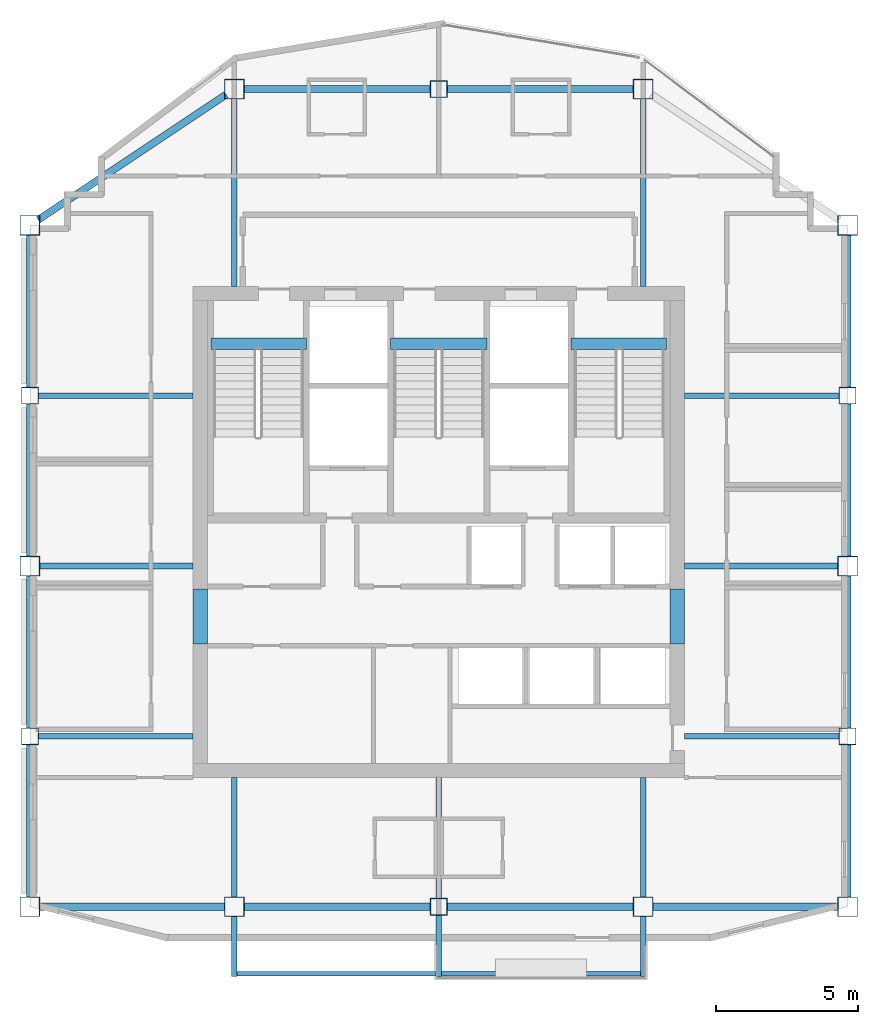
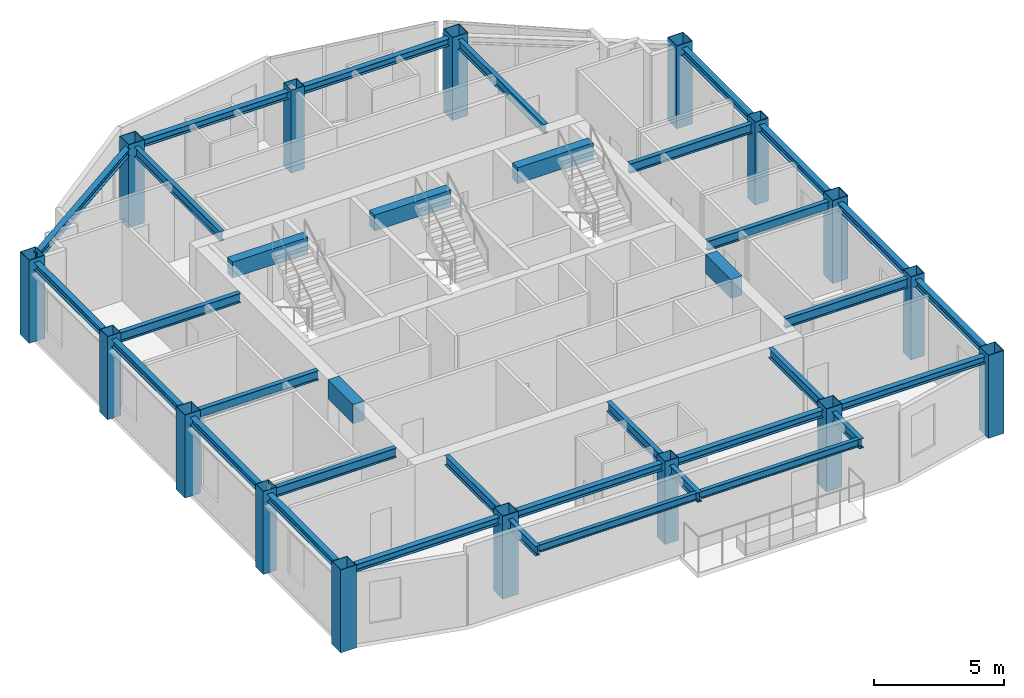
# One storey, part 1 of 8: 36 beams, 16 columns.
"""IFC4 building model written with IfcOpenShell, lengths in metres."""

from ifc_helpers import new_model, si_unit, direction, frame, origin, origin_2d, place, context, subcontext, project, spatial, rectangle, hollow_rectangle, i_section, extrude, material, material_profile, profile_set, type_object, element, save


model = new_model("IFC4")

# Units and contexts
model_context = context("Model", 3, precision=1e-05, world=origin(), true_north=direction((0.0, 1.0)))
body_context = subcontext(model_context, "Body", "Model", "MODEL_VIEW")
ifc_project = project(units=[si_unit("LENGTHUNIT", "METRE"), si_unit("AREAUNIT", "SQUARE_METRE"), si_unit("VOLUMEUNIT", "CUBIC_METRE"), si_unit("PLANEANGLEUNIT", "RADIAN"), si_unit("MASSUNIT", "GRAM", prefix="KILO")], contexts=[model_context])

# Site, building, storey
site_placement = place(None, origin())
site = spatial("IfcSite", under=ifc_project, at=site_placement, CompositionType="ELEMENT")
building_placement = place(site_placement, origin())
building = spatial("IfcBuilding", under=site, at=building_placement, Name="Haolan Belvedere Tower", CompositionType="ELEMENT")
storey_placement = place(building_placement, frame((0.0, 0.0, 293.89990234375)))
storey = spatial("IfcBuildingStorey", under=building, at=storey_placement, Name="L74", CompositionType="ELEMENT", Elevation=293.89990234375)

# Columns
ifc_material_1 = material(Name="Steel Q390GJC", Category="steel")
ifc_material_profile_1 = material_profile(ifc_material_1, hollow_rectangle(XDim=0.60009765625, YDim=0.60009765625, WallThickness=0.02392578125, at=origin_2d()), Name="Steel Q390GJC")
ifc_profile_set_1 = profile_set([ifc_material_profile_1], Name="Steel Q390GJC")
column_type_1 = type_object("IfcColumnType", Name="COL-BOX600x600x24", PredefinedType="COLUMN", material=ifc_profile_set_1)
for number, where, z_axis, x_axis, name in (
    (1, (24.0, 27.60009765625, 0.0), (0.0, 0.0, 1.0), (1.0, 0.0, 0.0), "L74 column TC-T3-W1 (BOX600x600x24)"),
    (2, (24.0, 39.60009765625, 0.0), (0.0, 0.0, 1.0), (1.0, 0.0, 0.0), "L74 column TC-T3-W2 (BOX600x600x24)"),
    (3, (52.800048828125, 27.60009765625, 0.0), (0.0, 0.0, 1.0), (1.0, 0.0, 0.0), "L74 column TC-T3-E1 (BOX600x600x24)"),
    (4, (52.800048828125, 39.60009765625, 0.0), (0.0, 0.0, 1.0), (1.0, 0.0, 0.0), "L74 column TC-T3-E2 (BOX600x600x24)"),
    (5, (38.39990234375, 21.60009765625, 0.0), (0.0, 0.0, 1.0), (1.0, 0.0, 0.0), "L74 column TC-T3-SM (BOX600x600x24)"),
    (6, (38.39990234375, 50.39990234375, 0.0), (0.0, 0.0, 1.0), (1.0, 0.0, 0.0), "L74 column TC-T3-NM (BOX600x600x24)"),
):
    element("IfcColumn", number, at=place(storey_placement, frame(where, z_axis=z_axis, x_axis=x_axis)), inside=storey, type_object=column_type_1, Name=name, PredefinedType="COLUMN", context=body_context, shape_type="SweptSolid", body=[
        extrude(hollow_rectangle(XDim=0.60009765625, YDim=0.60009765625, WallThickness=0.02392578125, at=origin_2d()), origin(), (0.0, 0.0, 1.0), 3.900146484375),
    ])
ifc_material_profile_2 = material_profile(ifc_material_1, hollow_rectangle(XDim=0.699951171875, YDim=0.699951171875, WallThickness=0.02587890625, at=origin_2d()), Name="Steel Q390GJC")
ifc_profile_set_2 = profile_set([ifc_material_profile_2], Name="Steel Q390GJC")
column_type_2 = type_object("IfcColumnType", Name="COL-BOX700x700x26", PredefinedType="COLUMN", material=ifc_profile_set_2)
for number, where, z_axis, x_axis, name in (
    (7, (24.0, 21.60009765625, 0.0), (0.0, 0.0, 1.0), (1.0, 0.0, 0.0), "L74 column MC-T3-SW (BOX700x700x26)"),
    (8, (24.0, 33.60009765625, 0.0), (0.0, 0.0, 1.0), (1.0, 0.0, 0.0), "L74 column MC-T3-MW (BOX700x700x26)"),
    (9, (24.0, 45.60009765625, 0.0), (0.0, 0.0, 1.0), (1.0, 0.0, 0.0), "L74 column MC-T3-NW (BOX700x700x26)"),
    (10, (52.800048828125, 21.60009765625, 0.0), (0.0, 0.0, 1.0), (1.0, 0.0, 0.0), "L74 column MC-T3-SE (BOX700x700x26)"),
    (11, (52.800048828125, 33.60009765625, 0.0), (0.0, 0.0, 1.0), (1.0, 0.0, 0.0), "L74 column MC-T3-ME (BOX700x700x26)"),
    (12, (52.800048828125, 45.60009765625, 0.0), (0.0, 0.0, 1.0), (1.0, 0.0, 0.0), "L74 column MC-T3-NE (BOX700x700x26)"),
    (13, (31.199951171875, 21.60009765625, 0.0), (0.0, 0.0, 1.0), (1.0, 0.0, 0.0), "L74 column MC-T3-S1 (BOX700x700x26)"),
    (14, (45.60009765625, 21.60009765625, 0.0), (0.0, 0.0, 1.0), (1.0, 0.0, 0.0), "L74 column MC-T3-S2 (BOX700x700x26)"),
    (15, (31.199951171875, 50.39990234375, 0.0), (0.0, 0.0, 1.0), (1.0, 0.0, 0.0), "L74 column MC-T3-N1 (BOX700x700x26)"),
    (16, (45.60009765625, 50.39990234375, 0.0), (0.0, 0.0, 1.0), (1.0, 0.0, 0.0), "L74 column MC-T3-N2 (BOX700x700x26)"),
):
    element("IfcColumn", number, at=place(storey_placement, frame(where, z_axis=z_axis, x_axis=x_axis)), inside=storey, type_object=column_type_2, Name=name, PredefinedType="COLUMN", context=body_context, shape_type="SweptSolid", body=[
        extrude(hollow_rectangle(XDim=0.699951171875, YDim=0.699951171875, WallThickness=0.02587890625, at=origin_2d()), origin(), (0.0, 0.0, 1.0), 3.900146484375),
    ])

# Beams
ifc_material_2 = material(Name="Steel Q355B", Category="steel")
ifc_material_profile_3 = material_profile(ifc_material_2, i_section(OverallWidth=0.25, OverallDepth=0.340087890625, WebThickness=0.009033203125, FlangeThickness=0.013916015625, FilletRadius=0.02001953125, at=origin_2d()), Name="Steel Q355B")
ifc_profile_set_3 = profile_set([ifc_material_profile_3], Name="Steel Q355B")
beam_type_1 = type_object("IfcBeamType", Name="BM-HM340x250x9x14", PredefinedType="SPANDREL", material=ifc_profile_set_3)
for number, where, z_axis, x_axis, name in (
    (17, (24.0, 21.949951171875, 3.550048828125), (0.0, 1.0, 0.0), (-1.0, 0.0, 0.0), "L74 spandrel girder MC-T3-SW-TC-T3-W1"),
    (18, (24.0, 27.89990234375, 3.550048828125), (0.0, 1.0, 0.0), (-1.0, 0.0, 0.0), "L74 spandrel girder TC-T3-W1-MC-T3-MW"),
    (19, (24.0, 33.949951171875, 3.550048828125), (0.0, 1.0, 0.0), (-1.0, 0.0, 0.0), "L74 spandrel girder MC-T3-MW-TC-T3-W2"),
    (20, (24.0, 39.89990234375, 3.550048828125), (0.0, 1.0, 0.0), (-1.0, 0.0, 0.0), "L74 spandrel girder TC-T3-W2-MC-T3-NW"),
    (21, (52.800048828125, 21.949951171875, 3.550048828125), (0.0, 1.0, 0.0), (-1.0, 0.0, 0.0), "L74 spandrel girder MC-T3-SE-TC-T3-E1"),
    (22, (52.800048828125, 27.89990234375, 3.550048828125), (0.0, 1.0, 0.0), (-1.0, 0.0, 0.0), "L74 spandrel girder TC-T3-E1-MC-T3-ME"),
    (23, (52.800048828125, 33.949951171875, 3.550048828125), (0.0, 1.0, 0.0), (-1.0, 0.0, 0.0), "L74 spandrel girder MC-T3-ME-TC-T3-E2"),
    (24, (52.800048828125, 39.89990234375, 3.550048828125), (0.0, 1.0, 0.0), (-1.0, 0.0, 0.0), "L74 spandrel girder TC-T3-E2-MC-T3-NE"),
):
    element("IfcBeam", number, at=place(storey_placement, frame(where, z_axis=z_axis, x_axis=x_axis)), inside=storey, type_object=beam_type_1, Name=name, PredefinedType="SPANDREL", context=body_context, shape_type="SweptSolid", body=[
        extrude(i_section(OverallWidth=0.25, OverallDepth=0.340087890625, WebThickness=0.009033203125, FlangeThickness=0.013916015625, FilletRadius=0.02001953125, at=origin_2d()), origin(), (0.0, 0.0, 1.0), 5.35009765625),
    ])
beam_1_placement = place(storey_placement, frame((24.35009765625, 21.60009765625, 3.550048828125), z_axis=(1.0, 0.0, 0.0), x_axis=(0.0, 1.0, 0.0)))
element("IfcBeam", 25, at=beam_1_placement, inside=storey, type_object=beam_type_1, Name="L74 spandrel girder MC-T3-SW-MC-T3-S1", PredefinedType="SPANDREL", context=body_context, shape_type="SweptSolid", body=[
    extrude(i_section(OverallWidth=0.25, OverallDepth=0.340087890625, WebThickness=0.009033203125, FlangeThickness=0.013916015625, FilletRadius=0.02001953125, at=origin_2d()), origin(), (0.0, 0.0, 1.0), 6.5),
])
for number, where, z_axis, x_axis, name in (
    (26, (31.550048828125, 21.60009765625, 3.550048828125), (1.0, 0.0, 0.0), (0.0, 1.0, 0.0), "L74 spandrel girder MC-T3-S1-TC-T3-SM"),
    (27, (38.699951171875, 21.60009765625, 3.550048828125), (1.0, 0.0, 0.0), (0.0, 1.0, 0.0), "L74 spandrel girder TC-T3-SM-MC-T3-S2"),
):
    element("IfcBeam", number, at=place(storey_placement, frame(where, z_axis=z_axis, x_axis=x_axis)), inside=storey, type_object=beam_type_1, Name=name, PredefinedType="SPANDREL", context=body_context, shape_type="SweptSolid", body=[
        extrude(i_section(OverallWidth=0.25, OverallDepth=0.340087890625, WebThickness=0.009033203125, FlangeThickness=0.013916015625, FilletRadius=0.02001953125, at=origin_2d()), origin(), (0.0, 0.0, 1.0), 6.550048828125),
    ])
beam_2_placement = place(storey_placement, frame((45.949951171875, 21.60009765625, 3.550048828125), z_axis=(1.0, 0.0, 0.0), x_axis=(0.0, 1.0, 0.0)))
element("IfcBeam", 28, at=beam_2_placement, inside=storey, type_object=beam_type_1, Name="L74 spandrel girder MC-T3-S2-MC-T3-SE", PredefinedType="SPANDREL", context=body_context, shape_type="SweptSolid", body=[
    extrude(i_section(OverallWidth=0.25, OverallDepth=0.340087890625, WebThickness=0.009033203125, FlangeThickness=0.013916015625, FilletRadius=0.02001953125, at=origin_2d()), origin(), (0.0, 0.0, 1.0), 6.5),
])
beam_3_placement = place(storey_placement, frame((24.291259765625, 45.794189453125, 3.550048828125), z_axis=(0.832050294338, 0.554700196225, 0.0), x_axis=(-0.554700196225, 0.832050294338, 0.0)))
element("IfcBeam", 29, at=beam_3_placement, inside=storey, type_object=beam_type_1, Name="L74 spandrel girder MC-T3-NW-MC-T3-N1", PredefinedType="SPANDREL", context=body_context, shape_type="SweptSolid", body=[
    extrude(i_section(OverallWidth=0.25, OverallDepth=0.340087890625, WebThickness=0.009033203125, FlangeThickness=0.013916015625, FilletRadius=0.02001953125, at=origin_2d()), origin(), (0.0, 0.0, 1.0), 7.953125),
])
for number, where, z_axis, x_axis, name in (
    (30, (31.550048828125, 50.39990234375, 3.550048828125), (1.0, 0.0, 0.0), (0.0, 1.0, 0.0), "L74 spandrel girder MC-T3-N1-TC-T3-NM"),
    (31, (38.699951171875, 50.39990234375, 3.550048828125), (1.0, 0.0, 0.0), (0.0, 1.0, 0.0), "L74 spandrel girder TC-T3-NM-MC-T3-N2"),
):
    element("IfcBeam", number, at=place(storey_placement, frame(where, z_axis=z_axis, x_axis=x_axis)), inside=storey, type_object=beam_type_1, Name=name, PredefinedType="SPANDREL", context=body_context, shape_type="SweptSolid", body=[
        extrude(i_section(OverallWidth=0.25, OverallDepth=0.340087890625, WebThickness=0.009033203125, FlangeThickness=0.013916015625, FilletRadius=0.02001953125, at=origin_2d()), origin(), (0.0, 0.0, 1.0), 6.550048828125),
    ])
ifc_material_profile_4 = material_profile(ifc_material_2, i_section(OverallWidth=0.175048828125, OverallDepth=0.35009765625, WebThickness=0.007080078125, FlangeThickness=0.010986328125, FilletRadius=0.012939453125, at=origin_2d()), Name="Steel Q355B")
ifc_profile_set_4 = profile_set([ifc_material_profile_4], Name="Steel Q355B")
beam_type_2 = type_object("IfcBeamType", Name="BM-HN350x175x7x11", PredefinedType="JOIST", material=ifc_profile_set_4)
for number, where, z_axis, x_axis, name in (
    (32, (31.300048828125, 19.239990234375, 3.4951171875), (1.0, 0.0, 0.0), (0.0, 1.0, 0.0), "L75 tree-balcony front trimmer beam 1"),
    (33, (38.5, 19.239990234375, 3.4951171875), (1.0, 0.0, 0.0), (0.0, 1.0, 0.0), "L75 tree-balcony front trimmer beam 2"),
):
    element("IfcBeam", number, at=place(storey_placement, frame(where, z_axis=z_axis, x_axis=x_axis)), inside=storey, type_object=beam_type_2, Name=name, PredefinedType="BEAM", context=body_context, shape_type="SweptSolid", body=[
        extrude(i_section(OverallWidth=0.175048828125, OverallDepth=0.35009765625, WebThickness=0.007080078125, FlangeThickness=0.010986328125, FilletRadius=0.012939453125, at=origin_2d()), origin(), (0.0, 0.0, 1.0), 7.0),
    ])
ifc_material_profile_5 = material_profile(ifc_material_2, i_section(OverallWidth=0.199951171875, OverallDepth=0.449951171875, WebThickness=0.009033203125, FlangeThickness=0.013916015625, FilletRadius=0.01611328125, at=origin_2d()), Name="Steel Q355B")
ifc_profile_set_5 = profile_set([ifc_material_profile_5], Name="Steel Q355B")
beam_type_3 = type_object("IfcBeamType", Name="BM-HN450x200x9x14", PredefinedType="BEAM", material=ifc_profile_set_5)
beam_4_placement = place(storey_placement, frame((24.35009765625, 33.60009765625, 3.4951171875), z_axis=(1.0, 0.0, 0.0), x_axis=(0.0, 1.0, 0.0)))
element("IfcBeam", 34, at=beam_4_placement, inside=storey, type_object=beam_type_3, Name="L74 core tie beam from MC-T3-MW", PredefinedType="BEAM", context=body_context, shape_type="SweptSolid", body=[
    extrude(i_section(OverallWidth=0.199951171875, OverallDepth=0.449951171875, WebThickness=0.009033203125, FlangeThickness=0.013916015625, FilletRadius=0.01611328125, at=origin_2d()), origin(), (0.0, 0.0, 1.0), 5.39990234375),
])
for number, where, z_axis, x_axis, name in (
    (35, (24.300048828125, 27.60009765625, 3.4951171875), (1.0, 0.0, 0.0), (0.0, 1.0, 0.0), "L74 core tie beam from TC-T3-W1"),
    (36, (24.300048828125, 39.60009765625, 3.4951171875), (1.0, 0.0, 0.0), (0.0, 1.0, 0.0), "L74 core tie beam from TC-T3-W2"),
):
    element("IfcBeam", number, at=place(storey_placement, frame(where, z_axis=z_axis, x_axis=x_axis)), inside=storey, type_object=beam_type_3, Name=name, PredefinedType="BEAM", context=body_context, shape_type="SweptSolid", body=[
        extrude(i_section(OverallWidth=0.199951171875, OverallDepth=0.449951171875, WebThickness=0.009033203125, FlangeThickness=0.013916015625, FilletRadius=0.01611328125, at=origin_2d()), origin(), (0.0, 0.0, 1.0), 5.449951171875),
    ])
beam_5_placement = place(storey_placement, frame((52.449951171875, 33.60009765625, 3.4951171875), z_axis=(-1.0, 0.0, 0.0), x_axis=(0.0, -1.0, 0.0)))
element("IfcBeam", 37, at=beam_5_placement, inside=storey, type_object=beam_type_3, Name="L74 core tie beam from MC-T3-ME", PredefinedType="BEAM", context=body_context, shape_type="SweptSolid", body=[
    extrude(i_section(OverallWidth=0.199951171875, OverallDepth=0.449951171875, WebThickness=0.009033203125, FlangeThickness=0.013916015625, FilletRadius=0.01611328125, at=origin_2d()), origin(), (0.0, 0.0, 1.0), 5.39990234375),
])
for number, where, z_axis, x_axis, name in (
    (38, (52.5, 27.60009765625, 3.4951171875), (-1.0, 0.0, 0.0), (0.0, -1.0, 0.0), "L74 core tie beam from TC-T3-E1"),
    (39, (52.5, 39.60009765625, 3.4951171875), (-1.0, 0.0, 0.0), (0.0, -1.0, 0.0), "L74 core tie beam from TC-T3-E2"),
):
    element("IfcBeam", number, at=place(storey_placement, frame(where, z_axis=z_axis, x_axis=x_axis)), inside=storey, type_object=beam_type_3, Name=name, PredefinedType="BEAM", context=body_context, shape_type="SweptSolid", body=[
        extrude(i_section(OverallWidth=0.199951171875, OverallDepth=0.449951171875, WebThickness=0.009033203125, FlangeThickness=0.013916015625, FilletRadius=0.01611328125, at=origin_2d()), origin(), (0.0, 0.0, 1.0), 5.449951171875),
    ])
beam_6_placement = place(storey_placement, frame((31.199951171875, 21.949951171875, 3.4951171875), z_axis=(0.0, 1.0, 0.0), x_axis=(-1.0, 0.0, 0.0)))
element("IfcBeam", 40, at=beam_6_placement, inside=storey, type_object=beam_type_3, Name="L74 core tie beam from MC-T3-S1", PredefinedType="BEAM", context=body_context, shape_type="SweptSolid", body=[
    extrude(i_section(OverallWidth=0.199951171875, OverallDepth=0.449951171875, WebThickness=0.009033203125, FlangeThickness=0.013916015625, FilletRadius=0.01611328125, at=origin_2d()), origin(), (0.0, 0.0, 1.0), 4.199951171875),
])
beam_7_placement = place(storey_placement, frame((38.39990234375, 21.89990234375, 3.4951171875), z_axis=(0.0, 1.0, 0.0), x_axis=(-1.0, 0.0, 0.0)))
element("IfcBeam", 41, at=beam_7_placement, inside=storey, type_object=beam_type_3, Name="L74 core tie beam from TC-T3-SM", PredefinedType="BEAM", context=body_context, shape_type="SweptSolid", body=[
    extrude(i_section(OverallWidth=0.199951171875, OverallDepth=0.449951171875, WebThickness=0.009033203125, FlangeThickness=0.013916015625, FilletRadius=0.01611328125, at=origin_2d()), origin(), (0.0, 0.0, 1.0), 4.25),
])
beam_8_placement = place(storey_placement, frame((45.60009765625, 21.949951171875, 3.4951171875), z_axis=(0.0, 1.0, 0.0), x_axis=(-1.0, 0.0, 0.0)))
element("IfcBeam", 42, at=beam_8_placement, inside=storey, type_object=beam_type_3, Name="L74 core tie beam from MC-T3-S2", PredefinedType="BEAM", context=body_context, shape_type="SweptSolid", body=[
    extrude(i_section(OverallWidth=0.199951171875, OverallDepth=0.449951171875, WebThickness=0.009033203125, FlangeThickness=0.013916015625, FilletRadius=0.01611328125, at=origin_2d()), origin(), (0.0, 0.0, 1.0), 4.199951171875),
])
for number, where, z_axis, x_axis, name in (
    (43, (31.199951171875, 50.050048828125, 3.4951171875), (0.0, -1.0, 0.0), (1.0, 0.0, 0.0), "L74 core tie beam from MC-T3-N1"),
    (44, (45.60009765625, 50.050048828125, 3.4951171875), (0.0, -1.0, 0.0), (1.0, 0.0, 0.0), "L74 core tie beam from MC-T3-N2"),
):
    element("IfcBeam", number, at=place(storey_placement, frame(where, z_axis=z_axis, x_axis=x_axis)), inside=storey, type_object=beam_type_3, Name=name, PredefinedType="BEAM", context=body_context, shape_type="SweptSolid", body=[
        extrude(i_section(OverallWidth=0.199951171875, OverallDepth=0.449951171875, WebThickness=0.009033203125, FlangeThickness=0.013916015625, FilletRadius=0.01611328125, at=origin_2d()), origin(), (0.0, 0.0, 1.0), 6.60009765625),
    ])
beam_9_placement = place(storey_placement, frame((31.199951171875, 21.25, 3.445068359375), z_axis=(0.0, -1.0, 0.0), x_axis=(1.0, 0.0, 0.0)))
element("IfcBeam", 45, at=beam_9_placement, inside=storey, type_object=beam_type_3, Name="L75 tree-balcony column cantilever MC-T3-S1", PredefinedType="BEAM", context=body_context, shape_type="SweptSolid", body=[
    extrude(i_section(OverallWidth=0.199951171875, OverallDepth=0.449951171875, WebThickness=0.009033203125, FlangeThickness=0.013916015625, FilletRadius=0.01611328125, at=origin_2d()), origin(), (0.0, 0.0, 1.0), 2.110107421875),
])
beam_10_placement = place(storey_placement, frame((38.39990234375, 21.300048828125, 3.445068359375), z_axis=(0.0, -1.0, 0.0), x_axis=(1.0, 0.0, 0.0)))
element("IfcBeam", 46, at=beam_10_placement, inside=storey, type_object=beam_type_3, Name="L75 tree-balcony column cantilever TC-T3-SM", PredefinedType="BEAM", context=body_context, shape_type="SweptSolid", body=[
    extrude(i_section(OverallWidth=0.199951171875, OverallDepth=0.449951171875, WebThickness=0.009033203125, FlangeThickness=0.013916015625, FilletRadius=0.01611328125, at=origin_2d()), origin(), (0.0, 0.0, 1.0), 2.16015625),
])
beam_11_placement = place(storey_placement, frame((45.60009765625, 21.25, 3.445068359375), z_axis=(0.0, -1.0, 0.0), x_axis=(1.0, 0.0, 0.0)))
element("IfcBeam", 47, at=beam_11_placement, inside=storey, type_object=beam_type_3, Name="L75 tree-balcony column cantilever MC-T3-S2", PredefinedType="BEAM", context=body_context, shape_type="SweptSolid", body=[
    extrude(i_section(OverallWidth=0.199951171875, OverallDepth=0.449951171875, WebThickness=0.009033203125, FlangeThickness=0.013916015625, FilletRadius=0.01611328125, at=origin_2d()), origin(), (0.0, 0.0, 1.0), 2.110107421875),
])
ifc_material_3 = material(Name="Concrete C50/60", Category="concrete")
ifc_material_profile_6 = material_profile(ifc_material_3, rectangle(XDim=0.39990234375, YDim=0.75, at=origin_2d()), Name="Concrete C50/60")
ifc_profile_set_6 = profile_set([ifc_material_profile_6], Name="Concrete C50/60")
beam_type_4 = type_object("IfcBeamType", Name="BM-RC400x750", PredefinedType="T_BEAM", material=ifc_profile_set_6)
beam_12_placement = place(storey_placement, frame((30.3798828125, 41.429931640625, 3.525146484375), z_axis=(1.0, 0.0, 0.0), x_axis=(0.0, 1.0, 0.0)))
element("IfcBeam", 48, at=beam_12_placement, inside=storey, type_object=beam_type_4, Name="L75 stair ST1 RC header trimmer beam", PredefinedType="BEAM", context=body_context, shape_type="SweptSolid", body=[
    extrude(rectangle(XDim=0.39990234375, YDim=0.75, at=origin_2d()), origin(), (0.0, 0.0, 1.0), 3.360107421875),
])
beam_13_placement = place(storey_placement, frame((36.699951171875, 41.429931640625, 3.525146484375), z_axis=(1.0, 0.0, 0.0), x_axis=(0.0, 1.0, 0.0)))
element("IfcBeam", 49, at=beam_13_placement, inside=storey, type_object=beam_type_4, Name="L75 stair ST3 RC header trimmer beam", PredefinedType="BEAM", context=body_context, shape_type="SweptSolid", body=[
    extrude(rectangle(XDim=0.39990234375, YDim=0.75, at=origin_2d()), origin(), (0.0, 0.0, 1.0), 3.400146484375),
])
beam_14_placement = place(storey_placement, frame((43.06005859375, 41.429931640625, 3.525146484375), z_axis=(1.0, 0.0, 0.0), x_axis=(0.0, 1.0, 0.0)))
element("IfcBeam", 50, at=beam_14_placement, inside=storey, type_object=beam_type_4, Name="L75 stair ST2 RC header trimmer beam", PredefinedType="BEAM", context=body_context, shape_type="SweptSolid", body=[
    extrude(rectangle(XDim=0.39990234375, YDim=0.75, at=origin_2d()), origin(), (0.0, 0.0, 1.0), 3.35986328125),
])
ifc_material_4 = material(Name="Concrete C60/75", Category="concrete")
ifc_material_profile_7 = material_profile(ifc_material_4, rectangle(XDim=0.5, YDim=0.89990234375, at=origin_2d()), Name="Concrete C60/75")
ifc_profile_set_7 = profile_set([ifc_material_profile_7], Name="Concrete C60/75")
beam_type_5 = type_object("IfcBeamType", Name="BM-RC500x900", PredefinedType="LINTEL", material=ifc_profile_set_7)
for number, where, z_axis, x_axis, name in (
    (51, (30.0, 30.85009765625, 3.27001953125), (0.0, 1.0, 0.0), (-1.0, 0.0, 0.0), "L74 west core coupling beam CB-01"),
    (52, (46.800048828125, 30.85009765625, 3.27001953125), (0.0, 1.0, 0.0), (-1.0, 0.0, 0.0), "L74 east core coupling beam CB-01"),
):
    element("IfcBeam", number, at=place(storey_placement, frame(where, z_axis=z_axis, x_axis=x_axis)), inside=storey, type_object=beam_type_5, Name=name, PredefinedType="LINTEL", context=body_context, shape_type="SweptSolid", body=[
        extrude(rectangle(XDim=0.5, YDim=0.89990234375, at=origin_2d()), origin(), (0.0, 0.0, 1.0), 1.949951171875),
    ])

save(model, "model.ifc")
